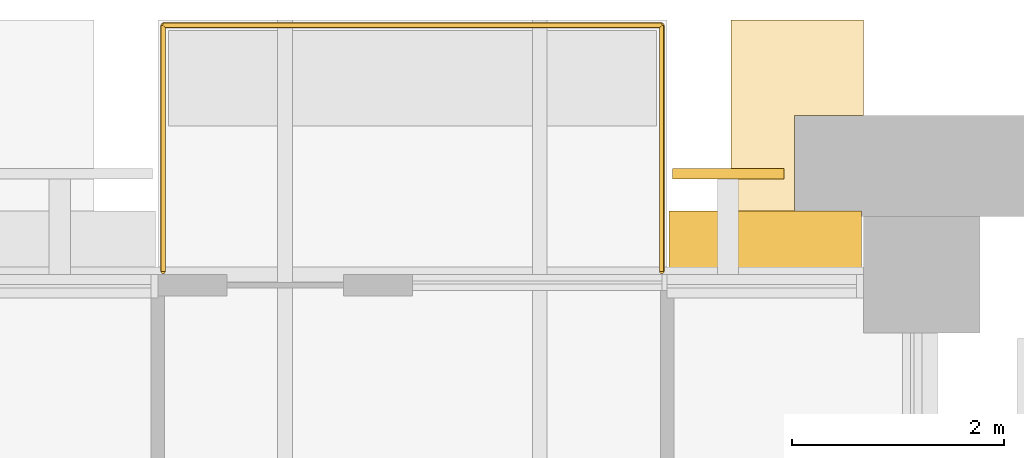
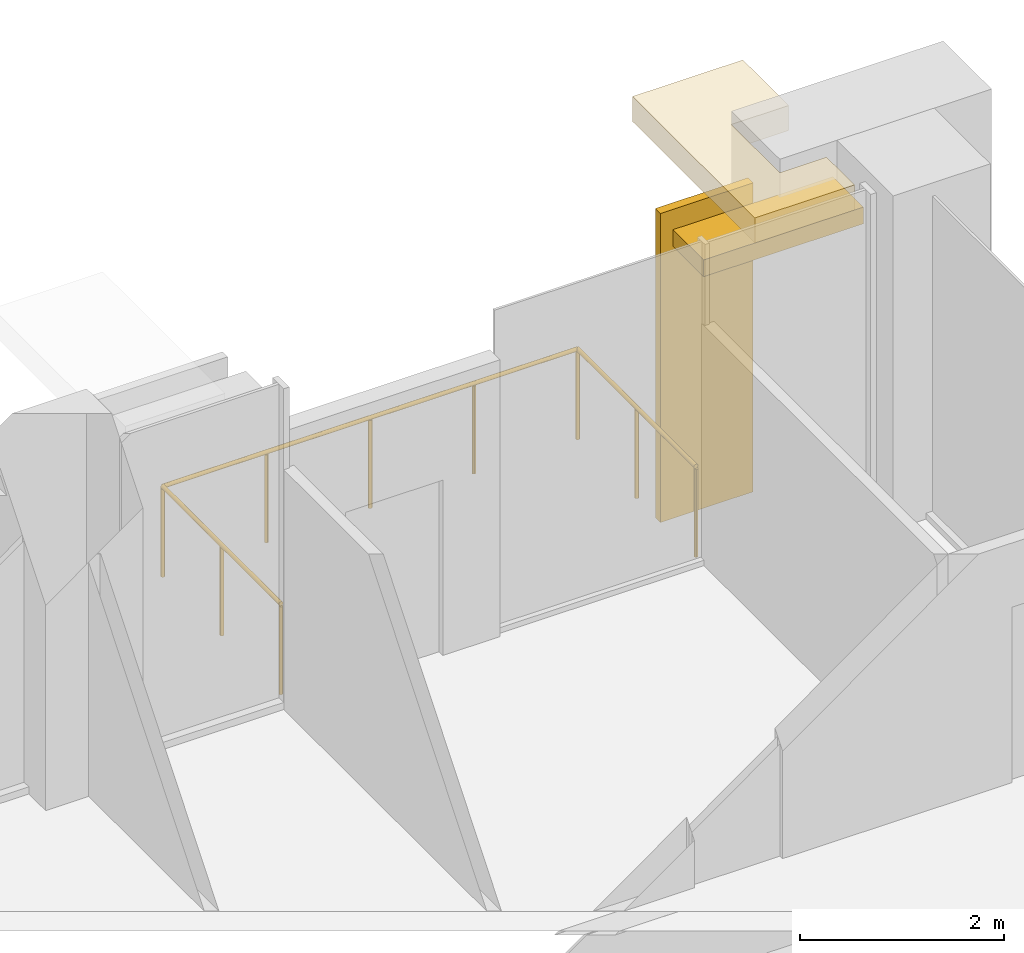
# One storey, part 14 of 14: 2 coverings, 1 railing, 1 shading device.
"""IFC4 building model written with IfcOpenShell, lengths in metres."""

from ifc_helpers import new_model, si_unit, direction, frame, origin, origin_2d, place, context, subcontext, project, spatial, polyline, rectangle, circle, outline, extrude, material, layer, layer_set, type_object, element, save


model = new_model("IFC4")

# Units and contexts
model_context = context("Model", 3, precision=1e-05, world=origin(), true_north=direction((0.0, 1.0)))
body_context = subcontext(model_context, "Body", "Model", "MODEL_VIEW")
ifc_project = project(units=[si_unit("LENGTHUNIT", "METRE"), si_unit("AREAUNIT", "SQUARE_METRE"), si_unit("VOLUMEUNIT", "CUBIC_METRE"), si_unit("PLANEANGLEUNIT", "RADIAN"), si_unit("MASSUNIT", "GRAM", prefix="KILO")], contexts=[model_context])

# Site, building, storey
site_placement = place(None, origin())
site = spatial("IfcSite", under=ifc_project, at=site_placement, CompositionType="ELEMENT")
building_placement = place(site_placement, origin())
building = spatial("IfcBuilding", under=site, at=building_placement, Name="Baori Bourse Tower", CompositionType="ELEMENT")
storey_placement = place(building_placement, frame((0.0, 0.0, 221.199951171875)))
storey = spatial("IfcBuildingStorey", under=building, at=storey_placement, Name="L48", CompositionType="ELEMENT", Elevation=221.199951171875)

# Covering
ifc_material_1 = material(Name="Pale anodised aluminium", Category="aluminium")
covering_type_1 = type_object("IfcCoveringType", Name="BD1 Pale metal band", PredefinedType="CLADDING", material=ifc_material_1)
covering_1_placement = place(storey_placement, frame((0.0, 0.0, 3.5400390625)))
element("IfcCovering", 1, at=covering_1_placement, inside=storey, type_object=covering_type_1, Name="Pale projecting band L48 2", PredefinedType="CLADDING", context=body_context, shape_type="SweptSolid", body=[
    extrude(outline(polyline([(36.60009765625, 48.0), (37.72998046875, 48.0), (37.72998046875, 48.550048828125), (37.199951171875, 48.550048828125), (37.199951171875, 49.5), (37.85009765625, 49.5), (37.85009765625, 50.39990234375), (36.60009765625, 50.39990234375), (36.60009765625, 48.0)])), origin(), (0.0, 0.0, 1.0), 0.300048828125),
])

# Shading device
ifc_material_2 = material(Name="Concrete f'c 40 MPa", Category="concrete")
ifc_layer_1 = layer(ifc_material_2, 0.199951171875)
ifc_layer_set_1 = layer_set([ifc_layer_1], Name="BS1 Brise-soleil ledge")
shading_device_type = type_object("IfcShadingDeviceType", Name="BS1 Brise-soleil ledge", PredefinedType="USERDEFINED", material=ifc_layer_set_1)
shading_device_placement = place(storey_placement, frame((36.925048828125, 48.300048828125, 3.33984375), z_axis=(0.0, 0.0, 1.0), x_axis=(-1.0, 0.0, 0.0)))
element("IfcShadingDevice", 2, at=shading_device_placement, inside=storey, type_object=shading_device_type, Name="Brise-soleil ledge L48 1", ObjectType="BRISE SOLEIL", PredefinedType="USERDEFINED", context=body_context, shape_type="SweptSolid", body=[
    extrude(rectangle(XDim=1.81005859375, YDim=0.60009765625, at=origin_2d()), origin(), (0.0, 0.0, 1.0), 0.199951171875),
])

# Railing
ifc_material_3 = material(Name="Stainless steel", Category="steel")
railing_type = type_object("IfcRailingType", Name="GD1 Guard", PredefinedType="GUARDRAIL", material=ifc_material_3)
railing_placement = place(storey_placement, frame((31.25, 48.030029296875, 0.0)))
element("IfcRailing", 3, at=railing_placement, inside=storey, type_object=railing_type, Name="Guard balcony N L48 2", PredefinedType="GUARDRAIL", context=body_context, shape_type="SweptSolid", body=[
    extrude(circle(Radius=0.02392578125, at=origin_2d()), frame((0.0, 0.0, 1.076171875), z_axis=(0.0, 1.0, 0.0), x_axis=(-1.0, 0.0, 0.0)), (0.0, 0.0, 1.0), 2.320068359375),
    extrude(circle(Radius=0.02392578125, at=origin_2d()), frame((0.0, 2.320068359375, 1.076171875), z_axis=(1.0, 0.0, 0.0), x_axis=(0.0, 1.0, 0.0)), (0.0, 0.0, 1.0), 4.699951171875),
    extrude(circle(Radius=0.02392578125, at=origin_2d()), frame((4.699951171875, 2.320068359375, 1.076171875), z_axis=(0.0, -1.0, 0.0), x_axis=(1.0, 0.0, 0.0)), (0.0, 0.0, 1.0), 2.320068359375),
    extrude(circle(Radius=0.02099609375, at=origin_2d()), origin(), (0.0, 0.0, 1.0), 1.052001953125),
    extrude(circle(Radius=0.02099609375, at=origin_2d()), frame((0.0, 1.16015625, 0.0)), (0.0, 0.0, 1.0), 1.052001953125),
    extrude(circle(Radius=0.02099609375, at=origin_2d()), frame((0.0, 2.320068359375, 0.0)), (0.0, 0.0, 1.0), 1.052001953125),
    extrude(circle(Radius=0.02099609375, at=origin_2d()), frame((1.175048828125, 2.320068359375, 0.0)), (0.0, 0.0, 1.0), 1.052001953125),
    extrude(circle(Radius=0.02099609375, at=origin_2d()), frame((2.35009765625, 2.320068359375, 0.0)), (0.0, 0.0, 1.0), 1.052001953125),
    extrude(circle(Radius=0.02099609375, at=origin_2d()), frame((3.52490234375, 2.320068359375, 0.0)), (0.0, 0.0, 1.0), 1.052001953125),
    extrude(circle(Radius=0.02099609375, at=origin_2d()), frame((4.699951171875, 2.320068359375, 0.0)), (0.0, 0.0, 1.0), 1.052001953125),
    extrude(circle(Radius=0.02099609375, at=origin_2d()), frame((4.699951171875, 1.16015625, 0.0)), (0.0, 0.0, 1.0), 1.052001953125),
    extrude(circle(Radius=0.02099609375, at=origin_2d()), frame((4.699951171875, 0.0, 0.0)), (0.0, 0.0, 1.0), 1.052001953125),
])

# Covering
ifc_material_4 = material(Name="Pale anodised aluminium", Category="aluminium")
ifc_layer_2 = layer(ifc_material_4, 0.10009765625)
ifc_layer_set_2 = layer_set([ifc_layer_2], Name="OS3 Outer skin screen panel")
covering_type_2 = type_object("IfcCoveringType", Name="OS3 Outer skin screen panel", PredefinedType="CLADDING", material=ifc_layer_set_2)
covering_2_placement = place(storey_placement, frame((0.0, 0.0, -0.159912109375)))
element("IfcCovering", 4, at=covering_2_placement, inside=storey, type_object=covering_type_2, Name="Outer skin screen L48 5", PredefinedType="CLADDING", context=body_context, shape_type="SweptSolid", body=[
    extrude(outline(polyline([(36.050048828125, 48.89990234375), (37.10009765625, 48.89990234375), (37.10009765625, 49.0), (36.050048828125, 49.0), (36.050048828125, 48.89990234375)])), origin(), (0.0, 0.0, 1.0), 3.699951171875),
])

save(model, "model.ifc")
